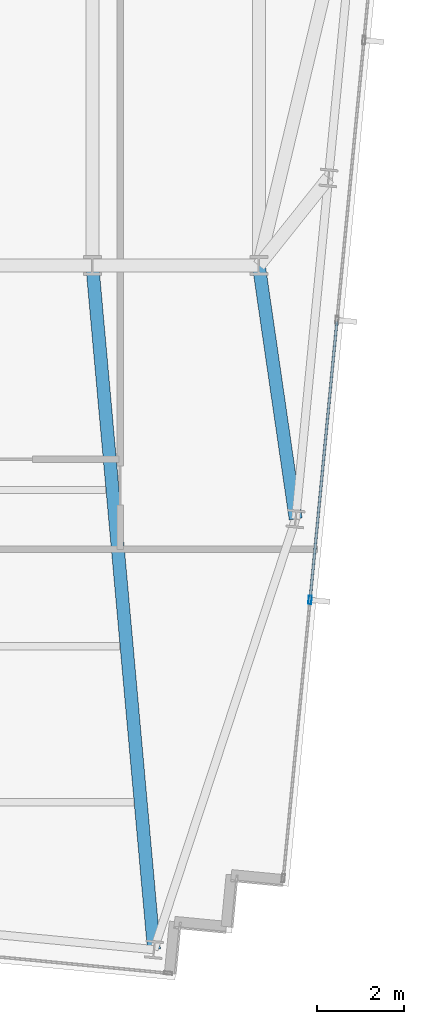
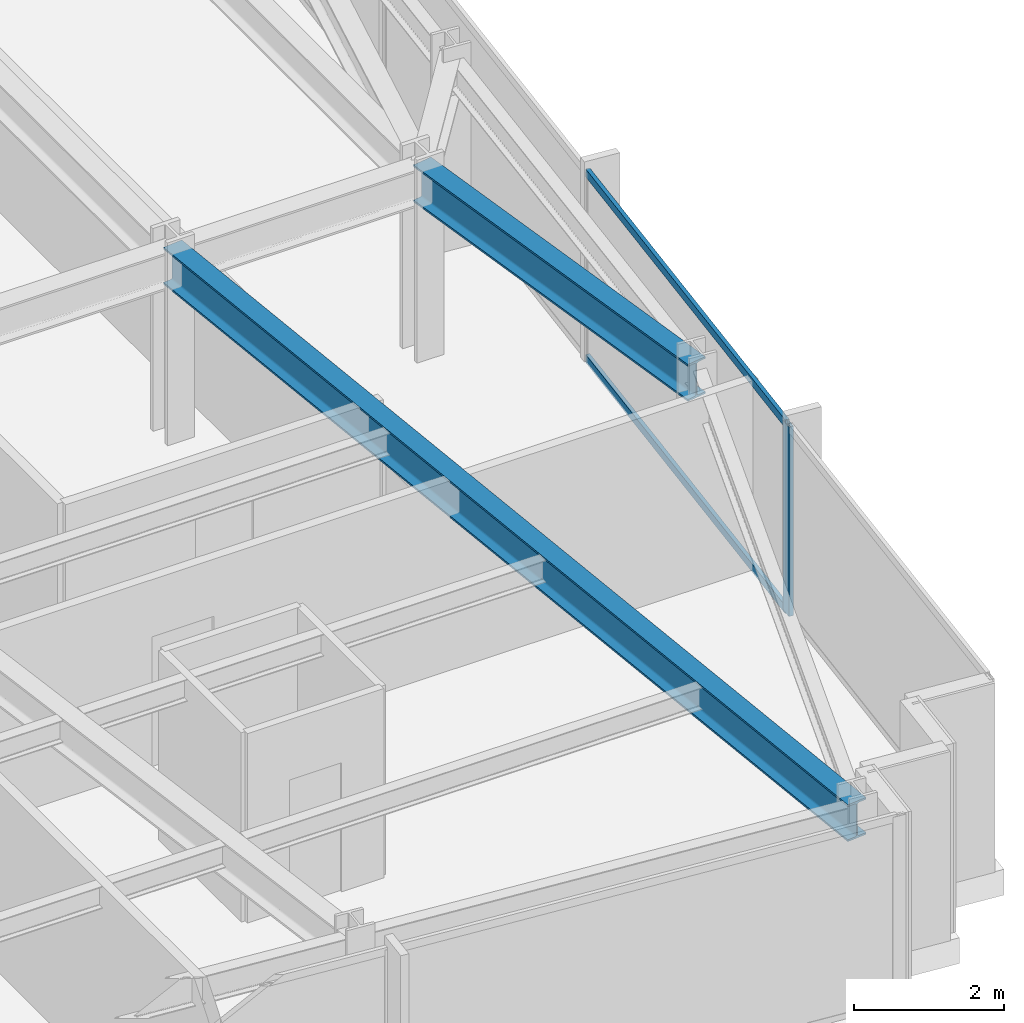
# One storey, part 15 of 37: 3 members, 2 beams, 1 element without a shape of its own.
"""IFC4 building model written with IfcOpenShell, lengths in metres."""

from ifc_helpers import new_model, si_unit, direction, frame, origin, origin_2d, place, context, subcontext, project, spatial, hollow_rectangle, i_section, extrude, material, material_profile, profile_set, type_object, element, aggregate, save


model = new_model("IFC4")

# Units and contexts
model_context = context("Model", 3, precision=1e-05, world=origin(), true_north=direction((0.0, 1.0)))
body_context = subcontext(model_context, "Body", "Model", "MODEL_VIEW")
ifc_project = project(units=[si_unit("LENGTHUNIT", "METRE"), si_unit("AREAUNIT", "SQUARE_METRE"), si_unit("VOLUMEUNIT", "CUBIC_METRE"), si_unit("PLANEANGLEUNIT", "RADIAN"), si_unit("MASSUNIT", "GRAM", prefix="KILO")], contexts=[model_context])

# Site, building, storey
site_placement = place(None, origin())
site = spatial("IfcSite", under=ifc_project, at=site_placement, CompositionType="ELEMENT")
building_placement = place(site_placement, origin())
building = spatial("IfcBuilding", under=site, at=building_placement, Name="Yelkora Congress Tower", CompositionType="ELEMENT")
storey_placement = place(building_placement, frame((0.0, 0.0, 149.0)))
storey = spatial("IfcBuildingStorey", under=building, at=storey_placement, Name="L40", CompositionType="ELEMENT", Elevation=149.0)

# Beams
ifc_material_1 = material(Name="Steel S355J2", Category="steel")
ifc_material_profile_1 = material_profile(ifc_material_1, i_section(OverallWidth=0.300048828125, OverallDepth=0.60009765625, WebThickness=0.015380859375, FlangeThickness=0.030029296875, FilletRadius=0.027099609375, at=origin_2d()), Name="HEB 600")
ifc_profile_set_1 = profile_set([ifc_material_profile_1], Name="Steel S355J2")
beam_type = type_object("IfcBeamType", Name="BM-GIRD-HEB600", PredefinedType="BEAM", material=ifc_profile_set_1)
beam_1_placement = place(storey_placement, frame((55.18212890625, 9.421142578125, 2.780029296875), z_axis=(-0.089764575953, 0.995963011815, 0.0), x_axis=(-0.995963011815, -0.089764575953, 0.0)))
element("IfcBeam", 1, at=beam_1_placement, inside=storey, type_object=beam_type, Name="L40 Primary Frame Girder S08", PredefinedType="BEAM", context=body_context, shape_type="SweptSolid", body=[
    extrude(i_section(OverallWidth=0.300048828125, OverallDepth=0.60009765625, WebThickness=0.015380859375, FlangeThickness=0.030029296875, FilletRadius=0.027099609375, at=origin_2d()), origin(), (0.0, 0.0, 1.0), 15.8427734375),
])
beam_2_placement = place(storey_placement, frame((58.44921875, 19.353759765625, 2.780029296875), z_axis=(-0.143735281382, 0.989616172506, 0.0), x_axis=(-0.989616172506, -0.143735281382, 0.0)))
element("IfcBeam", 2, at=beam_2_placement, inside=storey, type_object=beam_type, Name="L40 Primary Frame Girder E01", PredefinedType="BEAM", context=body_context, shape_type="SweptSolid", body=[
    extrude(i_section(OverallWidth=0.300048828125, OverallDepth=0.60009765625, WebThickness=0.015380859375, FlangeThickness=0.030029296875, FilletRadius=0.027099609375, at=origin_2d()), origin(), (0.0, 0.0, 1.0), 5.907470703125),
])

# Curtain wall, members
ifc_material_2 = material(Name="Anodised aluminium and insulated glass", Category="aluminium")
curtain_wall_type = type_object("IfcCurtainWallType", Name="CW-SYS-B3", PredefinedType="NOTDEFINED", material=ifc_material_2)
curtain_wall_placement = place(storey_placement, origin())
curtain_wall = element("IfcCurtainWall", 3, at=curtain_wall_placement, inside=storey, type_object=curtain_wall_type, Name="L40 Unitised Curtain Wall 15", PredefinedType="NOTDEFINED")
ifc_material_3 = material(Name="Anodised aluminium 6063-T6", Category="aluminium")
ifc_material_profile_2 = material_profile(ifc_material_3, hollow_rectangle(XDim=0.070068359375, YDim=0.18994140625, WallThickness=0.00390625, at=origin_2d()), Name="ALU 70x190x4")
ifc_profile_set_2 = profile_set([ifc_material_profile_2], Name="Anodised aluminium 6063-T6")
member_type_1 = type_object("IfcMemberType", Name="MEM-ML-B3", PredefinedType="MULLION", material=ifc_profile_set_2)
member_1_placement = place(storey_placement, frame((58.78173828125, 17.4873046875, 0.0), z_axis=(0.0, 0.0, 1.0), x_axis=(0.995396565076, -0.095841944023, 0.0)))
member_1 = element("IfcMember", 4, at=member_1_placement, type_object=member_type_1, Name="CW-B3 mullion 5", PredefinedType="MULLION", context=body_context, shape_type="SweptSolid", body=[
    extrude(hollow_rectangle(XDim=0.070068359375, YDim=0.18994140625, WallThickness=0.00390625, at=origin_2d()), origin(), (0.0, 0.0, 1.0), 3.080078125),
])
ifc_material_profile_3 = material_profile(ifc_material_3, hollow_rectangle(XDim=0.06005859375, YDim=0.1298828125, WallThickness=0.00390625, at=origin_2d()), Name="ALU 60x130x4")
ifc_profile_set_3 = profile_set([ifc_material_profile_3], Name="Anodised aluminium 6063-T6")
member_type_2 = type_object("IfcMemberType", Name="MEM-TR-B3", PredefinedType="USERDEFINED", material=ifc_profile_set_3)
member_2_placement = place(storey_placement, frame((59.39990234375, 23.90673828125, 0.030029296875), z_axis=(-0.095843682057, -0.995396397728, 0.0), x_axis=(0.995396397728, -0.095843682057, 0.0)))
member_2 = element("IfcMember", 5, at=member_2_placement, type_object=member_type_2, Name="CW-B3 transom 4.1", ObjectType="TRANSOM", PredefinedType="USERDEFINED", context=body_context, shape_type="SweptSolid", body=[
    extrude(hollow_rectangle(XDim=0.06005859375, YDim=0.1298828125, WallThickness=0.00390625, at=origin_2d()), origin(), (0.0, 0.0, 1.0), 6.4140625),
])
member_3_placement = place(storey_placement, frame((59.39990234375, 23.90673828125, 3.050048828125), z_axis=(-0.095843682057, -0.995396397728, 0.0), x_axis=(0.995396397728, -0.095843682057, 0.0)))
member_3 = element("IfcMember", 6, at=member_3_placement, type_object=member_type_2, Name="CW-B3 transom 4.2", ObjectType="TRANSOM", PredefinedType="USERDEFINED", context=body_context, shape_type="SweptSolid", body=[
    extrude(hollow_rectangle(XDim=0.06005859375, YDim=0.1298828125, WallThickness=0.00390625, at=origin_2d()), origin(), (0.0, 0.0, 1.0), 6.4140625),
])
aggregate(curtain_wall, [member_1, member_2, member_3])

save(model, "model.ifc")
